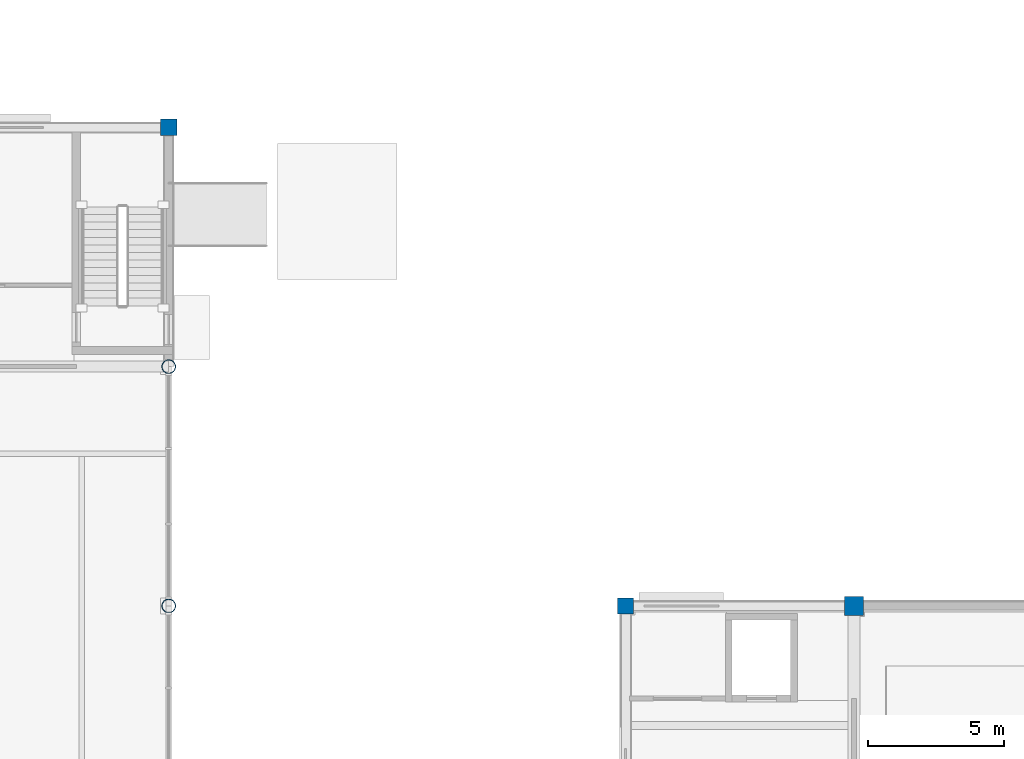
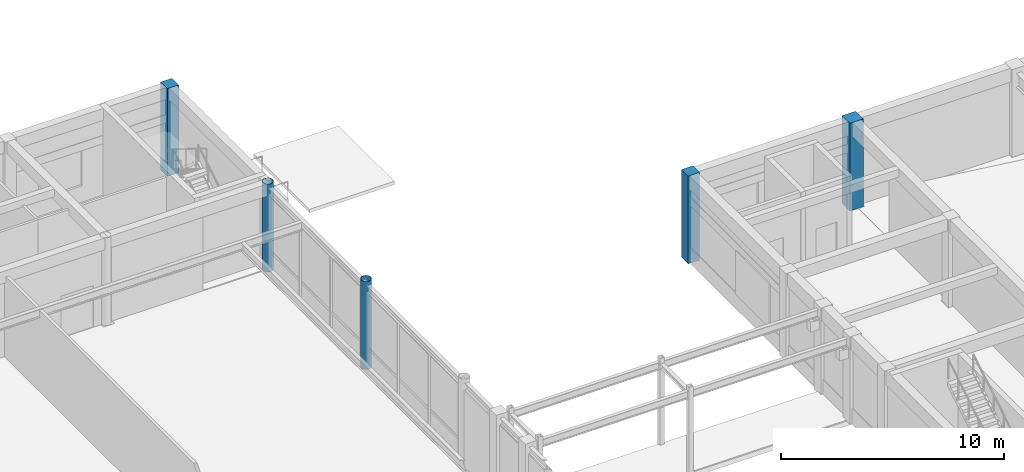
# One storey, part 4 of 58: 5 columns.
"""IFC4 building model written with IfcOpenShell, lengths in metres."""

from ifc_helpers import new_model, si_unit, direction, frame, origin, origin_2d, place, context, subcontext, project, spatial, rectangle, hollow_circle, extrude, material, material_profile, profile_set, type_object, element, save


model = new_model("IFC4")

# Units and contexts
model_context = context("Model", 3, precision=1e-05, world=origin(), true_north=direction((0.0, 1.0)))
body_context = subcontext(model_context, "Body", "Model", "MODEL_VIEW")
ifc_project = project(units=[si_unit("LENGTHUNIT", "METRE"), si_unit("AREAUNIT", "SQUARE_METRE"), si_unit("VOLUMEUNIT", "CUBIC_METRE"), si_unit("PLANEANGLEUNIT", "RADIAN"), si_unit("MASSUNIT", "GRAM", prefix="KILO")], contexts=[model_context])

# Site, building, storey
site_placement = place(None, origin())
site = spatial("IfcSite", under=ifc_project, at=site_placement, CompositionType="ELEMENT")
building_placement = place(site_placement, origin())
building = spatial("IfcBuilding", under=site, at=building_placement, Name="Kemercrest Conservatory and Botanical Centre", CompositionType="ELEMENT")
storey_placement = place(building_placement, origin())
storey = spatial("IfcBuildingStorey", under=building, at=storey_placement, Name="L00", CompositionType="ELEMENT", Elevation=0.0)

# Columns
ifc_material_1 = material(Name="Concrete C40/50", Category="concrete")
ifc_material_profile_1 = material_profile(ifc_material_1, rectangle(XDim=0.60009765625, YDim=0.60009765625, at=origin_2d()), Name="RC 600x600")
ifc_profile_set_1 = profile_set([ifc_material_profile_1], Name="Concrete C40/50")
column_type_1 = type_object("IfcColumnType", Name="C-RC60", PredefinedType="COLUMN", material=ifc_profile_set_1)
for number, where, z_axis, x_axis, name in (
    (1, (41.60009765625, 60.800048828125, 0.0), (0.0, 0.0, 1.0), (1.0, 0.0, 0.0), "Conservatory north bar column 05/G"),
    (2, (58.39990234375, 43.199951171875, 0.0), (0.0, 0.0, 1.0), (1.0, 0.0, 0.0), "Auditorium column 07/E"),
):
    element("IfcColumn", number, at=place(storey_placement, frame(where, z_axis=z_axis, x_axis=x_axis)), inside=storey, type_object=column_type_1, Name=name, PredefinedType="COLUMN", context=body_context, shape_type="SweptSolid", body=[
        extrude(rectangle(XDim=0.60009765625, YDim=0.60009765625, at=origin_2d()), origin(), (0.0, 0.0, 1.0), 4.800048828125),
    ])
ifc_material_2 = material(Name="Concrete C50/60", Category="concrete")
ifc_material_profile_2 = material_profile(ifc_material_2, rectangle(XDim=0.699951171875, YDim=0.699951171875, at=origin_2d()), Name="RC 700x700")
ifc_profile_set_2 = profile_set([ifc_material_profile_2], Name="Concrete C50/60")
column_type_2 = type_object("IfcColumnType", Name="C-RC70", PredefinedType="COLUMN", material=ifc_profile_set_2)
column_placement = place(storey_placement, frame((66.800048828125, 43.199951171875, 0.0), z_axis=(0.0, 0.0, 1.0), x_axis=(1.0, 0.0, 0.0)))
element("IfcColumn", 3, at=column_placement, inside=storey, type_object=column_type_2, Name="Auditorium column 08/E", PredefinedType="COLUMN", context=body_context, shape_type="SweptSolid", body=[
    extrude(rectangle(XDim=0.699951171875, YDim=0.699951171875, at=origin_2d()), origin(), (0.0, 0.0, 1.0), 4.800048828125),
])
ifc_material_3 = material(Name="Steel CSA G40.21 350W", Category="steel")
ifc_material_profile_3 = material_profile(ifc_material_3, hollow_circle(Radius=0.25390625, WallThickness=0.01611328125, at=origin_2d()), Name="CHS 508.0x16.0")
ifc_profile_set_3 = profile_set([ifc_material_profile_3], Name="Steel CSA G40.21 350W")
column_type_3 = type_object("IfcColumnType", Name="C-S508", PredefinedType="COLUMN", material=ifc_profile_set_3)
for number, where, z_axis, x_axis, name in (
    (4, (41.60009765625, 43.199951171875, 0.0), (0.0, 0.0, 1.0), (1.0, 0.0, 0.0), "Conservatory perimeter steel column 05/E"),
    (5, (41.60009765625, 52.0, 0.0), (0.0, 0.0, 1.0), (1.0, 0.0, 0.0), "Conservatory perimeter steel column 05/F"),
):
    element("IfcColumn", number, at=place(storey_placement, frame(where, z_axis=z_axis, x_axis=x_axis)), inside=storey, type_object=column_type_3, Name=name, PredefinedType="COLUMN", context=body_context, shape_type="SweptSolid", body=[
        extrude(hollow_circle(Radius=0.25390625, WallThickness=0.01611328125, at=origin_2d()), origin(), (0.0, 0.0, 1.0), 4.800048828125),
    ])

save(model, "model.ifc")
